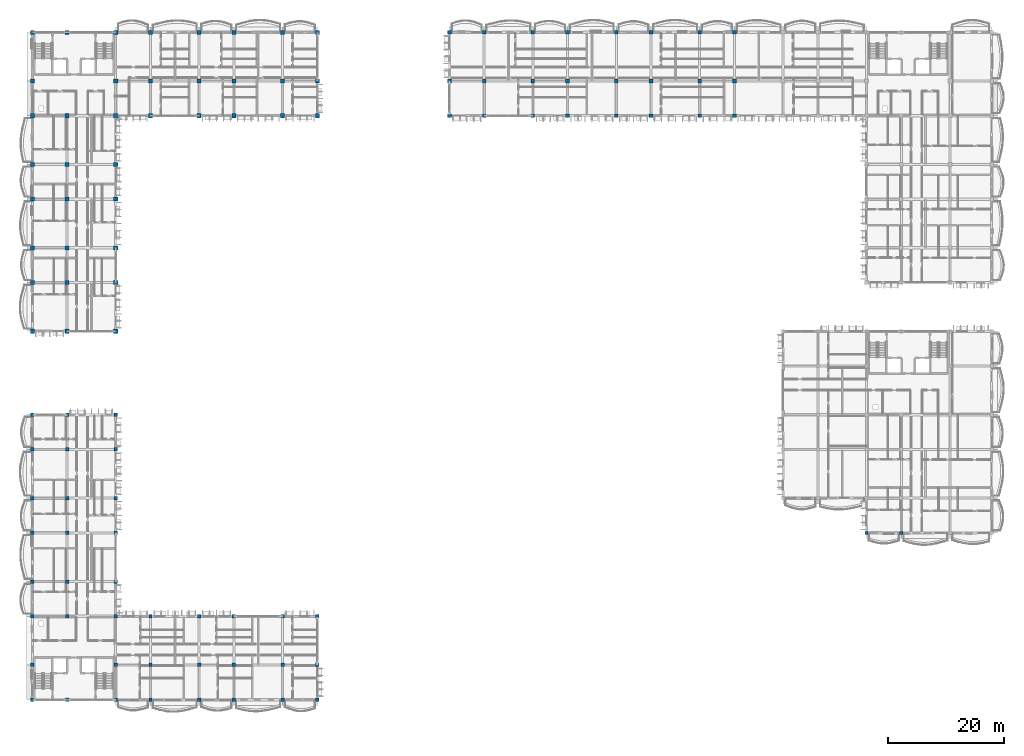
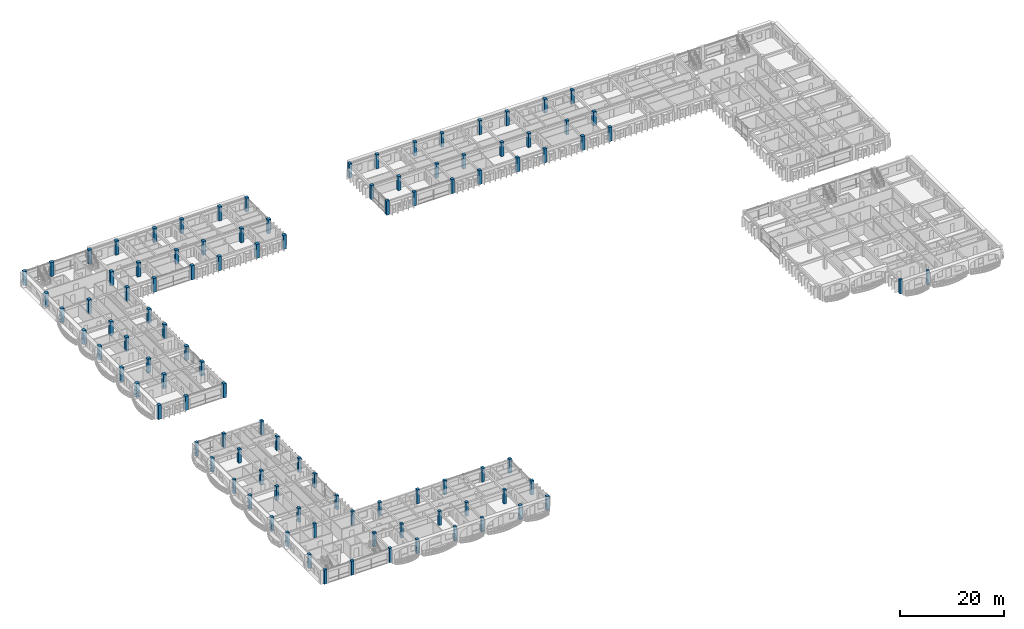
# One storey, part 1 of 79: 102 columns.
"""IFC4 building model written with IfcOpenShell, lengths in metres."""

import ifcopenshell
import ifcopenshell.guid

model = None  # the IFC model being written
_history = None  # IfcOwnerHistory: only IFC2X3 demands one
_inside = {}  # id of a spatial element -> (the spatial element, [elements in it])
_under = {}  # id of a project, library or spatial element -> (it, [spatial elements below it])
_declared = {}  # id of a project -> (the project, [libraries it declares])
_typed = {}  # id of a type object -> (the type object, [elements of that type])
_made_of = {}  # id of a material, layer set ... -> (it, [elements and type objects made of it])


def new_model(schema):
    """Start an empty IFC model of exactly this schema.

    Asked for "IFC4X3", IfcOpenShell would pick the latest addendum, in which some entities
    have other attributes; the version numbers below select the first issue.
    IFC2X3 requires an IfcOwnerHistory on every rooted entity: one is made here for all.
    """
    global model, _history
    if schema == "IFC4X3":
        model = ifcopenshell.file(schema_version=(4, 3, 0, 0))
    else:
        model = ifcopenshell.file(schema=schema)
    _inside.clear()
    _under.clear()
    _declared.clear()
    _typed.clear()
    _made_of.clear()
    _history = None
    if model.schema == "IFC2X3":
        org = make("IfcOrganization", Name="unknown")
        user = make(
            "IfcPersonAndOrganization",
            ThePerson=make("IfcPerson", FamilyName="unknown"),
            TheOrganization=org,
        )
        app = make(
            "IfcApplication",
            ApplicationDeveloper=org,
            Version="unknown",
            ApplicationFullName="unknown",
            ApplicationIdentifier="unknown",
        )
        _history = make(
            "IfcOwnerHistory",
            OwningUser=user,
            OwningApplication=app,
            ChangeAction="ADDED",
            CreationDate=0,
        )
    return model


def make(cls, **values):
    """One entity of the class cls with the attributes given. An attribute that is None is left unset."""
    return model.create_entity(
        cls, **{name: value for name, value in values.items() if value is not None}
    )


def rooted(cls, **values):
    """An entity with a GlobalId (a new one), such as an element, a storey or a relation."""
    return make(cls, GlobalId=ifcopenshell.guid.new(), OwnerHistory=_history, **values)


def si_unit(unit_type, name, prefix=None):
    """IfcSIUnit, for example si_unit("LENGTHUNIT", "METRE", prefix="MILLI")."""
    return make("IfcSIUnit", UnitType=unit_type, Prefix=prefix, Name=name)


def assignment(units):
    """IfcUnitAssignment: the units of a project."""
    return None if units is None else make("IfcUnitAssignment", Units=units)


def point(xyz):
    """IfcCartesianPoint."""
    return None if xyz is None else make("IfcCartesianPoint", Coordinates=xyz)


def direction(xyz):
    """IfcDirection."""
    return None if xyz is None else make("IfcDirection", DirectionRatios=xyz)


def frame(location, z_axis=None, x_axis=None):
    """IfcAxis2Placement3D, a coordinate frame: its origin and axes. An axis left out is left unset."""
    return make(
        "IfcAxis2Placement3D",
        Location=point(location),
        Axis=direction(z_axis),
        RefDirection=direction(x_axis),
    )


def frame_2d(location, x_axis=None):
    """IfcAxis2Placement2D, a coordinate frame in the plane: its origin and x axis."""
    return make(
        "IfcAxis2Placement2D", Location=point(location), RefDirection=direction(x_axis)
    )


def origin():
    """The frame at (0, 0, 0) with its axes left unset."""
    return frame((0.0, 0.0, 0.0))


def origin_2d():
    """The frame at (0, 0) in the plane with its x axis left unset."""
    return frame_2d((0.0, 0.0))


def place(relative_to, where):
    """IfcLocalPlacement: puts the frame where relative to a parent placement (None: the world)."""
    return make(
        "IfcLocalPlacement", PlacementRelTo=relative_to, RelativePlacement=where
    )


def context(
    kind, dimensions, precision=None, world=None, true_north=None, identifier=None
):
    """IfcGeometricRepresentationContext, for example the 3D "Model" context."""
    return make(
        "IfcGeometricRepresentationContext",
        ContextIdentifier=identifier,
        ContextType=kind,
        CoordinateSpaceDimension=dimensions,
        Precision=precision,
        WorldCoordinateSystem=world,
        TrueNorth=true_north,
    )


def subcontext(parent, identifier, kind, view, scale=None):
    """IfcGeometricRepresentationSubContext, for example "Body" below "Model"."""
    return make(
        "IfcGeometricRepresentationSubContext",
        ContextIdentifier=identifier,
        ContextType=kind,
        ParentContext=parent,
        TargetScale=scale,
        TargetView=view,
    )


def project(units=None, contexts=None):
    """IfcProject with its units and contexts."""
    return rooted(
        "IfcProject",
        Name="project",
        RepresentationContexts=contexts,
        UnitsInContext=assignment(units),
    )


def spatial(cls, under=None, at=None, **own):
    """A site, building, storey or space (cls), placed at a placement, below another one or the project."""
    s = rooted(cls, ObjectPlacement=at, **own)
    if under is not None:
        _under.setdefault(under.id(), (under, []))[1].append(s)
    return s


def profile(cls, at=None, kind="AREA", **sizes):
    """A parametric profile (cls). Its sizes go by their IFC names, for example OverallWidth=200.0."""
    return make(cls, ProfileType=kind, Position=at, **sizes)


def rectangle(**sizes):
    """IfcRectangleProfileDef."""
    return profile("IfcRectangleProfileDef", **sizes)


def extrude(swept, where, along, depth):
    """IfcExtrudedAreaSolid: the profile swept, set in the frame where, extruded along a direction by depth."""
    return make(
        "IfcExtrudedAreaSolid",
        SweptArea=swept,
        Position=where,
        ExtrudedDirection=direction(along),
        Depth=depth,
    )


def shape(context_of_items, identifier, shape_type, items):
    """IfcShapeRepresentation: the items that make up one representation, for example the "Body"."""
    return make(
        "IfcShapeRepresentation",
        ContextOfItems=context_of_items,
        RepresentationIdentifier=identifier,
        RepresentationType=shape_type,
        Items=items,
    )


def material(Name=None, Category=None):
    """IfcMaterial."""
    return make("IfcMaterial", Name=Name, Category=Category)


def material_profile(
    of_material, cross_section, Name=None, Category=None, Priority=None
):
    """IfcMaterialProfile: a cross section and its material."""
    return make(
        "IfcMaterialProfile",
        Name=Name,
        Material=of_material,
        Profile=cross_section,
        Priority=Priority,
        Category=Category,
    )


def profile_set(profiles, Name=None, composite=None):
    """IfcMaterialProfileSet."""
    return make(
        "IfcMaterialProfileSet",
        Name=Name,
        MaterialProfiles=profiles,
        CompositeProfile=composite,
    )


def made_of(thing, what):
    """Note that an element or type object is made of a material, layer set ...; save() writes the relation."""
    if what is not None:
        _made_of.setdefault(what.id(), (what, []))[1].append(thing)
    return thing


def type_object(cls, material=None, **own):
    """A type object (cls), such as IfcWallType, which elements share."""
    return made_of(rooted(cls, **own), material)


def element(
    cls,
    number,
    at=None,
    inside=None,
    cuts=None,
    type_object=None,
    material=None,
    context=None,
    identifier="Body",
    shape_type=None,
    held_by="IfcProductDefinitionShape",
    body=None,
    shapes=None,
    **own,
):
    """One element of the class cls, such as IfcWall. Its Tag is "e" and its number.

    at: its placement. inside: the storey or other place that contains it. cuts: it is an
    opening in that element (IfcRelVoidsElement). A single representation is given by context,
    identifier, shape_type and body (its items); several are given by shapes. held_by: the class
    of the entity that holds the representations. save() writes the other relations.
    """
    e = rooted(cls, Tag="e%d" % number, ObjectPlacement=at, **own)
    if body is not None:
        shapes = [shape(context, identifier, shape_type, body)]
    if shapes is not None:
        e.Representation = make(held_by, Representations=shapes)
    if inside is not None:
        _inside.setdefault(inside.id(), (inside, []))[1].append(e)
    if cuts is not None:
        rooted(
            "IfcRelVoidsElement", RelatingBuildingElement=cuts, RelatedOpeningElement=e
        )
    if type_object is not None:
        _typed.setdefault(type_object.id(), (type_object, []))[1].append(e)
    return made_of(e, material)


def aggregate(whole, parts):
    """IfcRelAggregates: a whole, such as a stair, and the parts it consists of."""
    return rooted("IfcRelAggregates", RelatingObject=whole, RelatedObjects=parts)


def save(model, path):
    """Write the relations noted so far, then the file.

    IfcRelAggregates (storeys below a building ...), IfcRelContainedInSpatialStructure (elements
    in a storey), IfcRelDefinesByType, IfcRelAssociatesMaterial and IfcRelDeclares: one each for
    every whole, place, type object, material and project.
    """
    for whole, parts in _under.values():
        aggregate(whole, parts)
    for where, things in _inside.values():
        rooted(
            "IfcRelContainedInSpatialStructure",
            RelatedElements=things,
            RelatingStructure=where,
        )
    for kind, things in _typed.values():
        rooted("IfcRelDefinesByType", RelatedObjects=things, RelatingType=kind)
    for what, things in _made_of.values():
        rooted("IfcRelAssociatesMaterial", RelatedObjects=things, RelatingMaterial=what)
    for by, libraries in _declared.values():
        rooted("IfcRelDeclares", RelatingContext=by, RelatedDefinitions=libraries)
    model.write(path)


model = new_model("IFC4")

# Units and contexts
model_context = context("Model", 3, precision=1e-05, world=origin(), true_north=direction((0.0, 1.0)))
body_context = subcontext(model_context, "Body", "Model", "MODEL_VIEW")
ifc_project = project(units=[si_unit("LENGTHUNIT", "METRE"), si_unit("AREAUNIT", "SQUARE_METRE"), si_unit("VOLUMEUNIT", "CUBIC_METRE"), si_unit("PLANEANGLEUNIT", "RADIAN"), si_unit("MASSUNIT", "GRAM", prefix="KILO"), si_unit("THERMODYNAMICTEMPERATUREUNIT", "KELVIN")], contexts=[model_context])

# Site, building, storey
site_placement = place(None, origin())
site = spatial("IfcSite", under=ifc_project, at=site_placement, CompositionType="ELEMENT")
building_placement = place(site_placement, origin())
building = spatial("IfcBuilding", under=site, at=building_placement, Name="Thalorik Housing Commons", CompositionType="ELEMENT")
storey_placement = place(building_placement, frame((0.0, 0.0, 11.39990234375)))
storey = spatial("IfcBuildingStorey", under=building, at=storey_placement, Name="L03", CompositionType="ELEMENT", Elevation=11.39990234375)

# Columns
ifc_material = material(Name="Precast concrete C40/50", Category="concrete")
ifc_material_profile_1 = material_profile(ifc_material, rectangle(XDim=0.550048828125, YDim=0.550048828125, at=origin_2d()), Name="PC 550x550", Category="concrete")
ifc_profile_set_1 = profile_set([ifc_material_profile_1], Name="Precast concrete C40/50")
column_type_1 = type_object("IfcColumnType", Name="STR-COL-PC550", PredefinedType="COLUMN", material=ifc_profile_set_1)
for number, where, z_axis, x_axis, name in (
    (1, (152.39990234375, 37.199951171875, 0.0), (0.0, 0.0, 1.0), (1.0, 0.0, 0.0), "L03 Column C-550"),
    (2, (158.39990234375, 37.199951171875, 0.0), (0.0, 0.0, 1.0), (1.0, 0.0, 0.0), "L03 Column C-550"),
):
    element("IfcColumn", number, at=place(storey_placement, frame(where, z_axis=z_axis, x_axis=x_axis)), inside=storey, type_object=column_type_1, Name=name, PredefinedType="COLUMN", context=body_context, shape_type="SweptSolid", body=[
        extrude(rectangle(XDim=0.550048828125, YDim=0.550048828125, at=origin_2d()), origin(), (0.0, 0.0, 1.0), 3.300048828125),
    ])
ifc_material_profile_2 = material_profile(ifc_material, rectangle(XDim=0.60009765625, YDim=0.60009765625, at=origin_2d()), Name="PC 600x600", Category="concrete")
ifc_profile_set_2 = profile_set([ifc_material_profile_2], Name="Precast concrete C40/50")
column_type_2 = type_object("IfcColumnType", Name="STR-COL-PC600", PredefinedType="COLUMN", material=ifc_profile_set_2)
for number, where, z_axis, x_axis, name in (
    (3, (8.39990234375, 8.39990234375, 0.0), (0.0, 0.0, 1.0), (1.0, 0.0, 0.0), "L03 Column C-600"),
    (4, (8.39990234375, 14.39990234375, 0.0), (0.0, 0.0, 1.0), (1.0, 0.0, 0.0), "L03 Column C-600"),
    (5, (8.39990234375, 22.800048828125, 0.0), (0.0, 0.0, 1.0), (1.0, 0.0, 0.0), "L03 Column C-600"),
    (6, (8.39990234375, 28.800048828125, 0.0), (0.0, 0.0, 1.0), (1.0, 0.0, 0.0), "L03 Column C-600"),
    (7, (8.39990234375, 37.199951171875, 0.0), (0.0, 0.0, 1.0), (1.0, 0.0, 0.0), "L03 Column C-600"),
    (8, (8.39990234375, 43.199951171875, 0.0), (0.0, 0.0, 1.0), (1.0, 0.0, 0.0), "L03 Column C-600"),
    (9, (8.39990234375, 51.60009765625, 0.0), (0.0, 0.0, 1.0), (1.0, 0.0, 0.0), "L03 Column C-600"),
    (10, (8.39990234375, 57.60009765625, 0.0), (0.0, 0.0, 1.0), (1.0, 0.0, 0.0), "L03 Column C-600"),
    (11, (14.39990234375, 8.39990234375, 0.0), (0.0, 0.0, 1.0), (1.0, 0.0, 0.0), "L03 Column C-600"),
    (12, (14.39990234375, 22.800048828125, 0.0), (0.0, 0.0, 1.0), (1.0, 0.0, 0.0), "L03 Column C-600"),
    (13, (14.39990234375, 28.800048828125, 0.0), (0.0, 0.0, 1.0), (1.0, 0.0, 0.0), "L03 Column C-600"),
    (14, (14.39990234375, 37.199951171875, 0.0), (0.0, 0.0, 1.0), (1.0, 0.0, 0.0), "L03 Column C-600"),
    (15, (14.39990234375, 43.199951171875, 0.0), (0.0, 0.0, 1.0), (1.0, 0.0, 0.0), "L03 Column C-600"),
    (16, (14.39990234375, 51.60009765625, 0.0), (0.0, 0.0, 1.0), (1.0, 0.0, 0.0), "L03 Column C-600"),
    (17, (14.39990234375, 57.60009765625, 0.0), (0.0, 0.0, 1.0), (1.0, 0.0, 0.0), "L03 Column C-600"),
    (18, (22.800048828125, 8.39990234375, 0.0), (0.0, 0.0, 1.0), (1.0, 0.0, 0.0), "L03 Column C-600"),
    (19, (22.800048828125, 14.39990234375, 0.0), (0.0, 0.0, 1.0), (1.0, 0.0, 0.0), "L03 Column C-600"),
    (20, (22.800048828125, 22.800048828125, 0.0), (0.0, 0.0, 1.0), (1.0, 0.0, 0.0), "L03 Column C-600"),
    (21, (22.800048828125, 28.800048828125, 0.0), (0.0, 0.0, 1.0), (1.0, 0.0, 0.0), "L03 Column C-600"),
    (22, (22.800048828125, 37.199951171875, 0.0), (0.0, 0.0, 1.0), (1.0, 0.0, 0.0), "L03 Column C-600"),
    (23, (22.800048828125, 43.199951171875, 0.0), (0.0, 0.0, 1.0), (1.0, 0.0, 0.0), "L03 Column C-600"),
    (24, (22.800048828125, 51.60009765625, 0.0), (0.0, 0.0, 1.0), (1.0, 0.0, 0.0), "L03 Column C-600"),
    (25, (22.800048828125, 57.60009765625, 0.0), (0.0, 0.0, 1.0), (1.0, 0.0, 0.0), "L03 Column C-600"),
    (26, (28.800048828125, 8.39990234375, 0.0), (0.0, 0.0, 1.0), (1.0, 0.0, 0.0), "L03 Column C-600"),
    (27, (28.800048828125, 14.39990234375, 0.0), (0.0, 0.0, 1.0), (1.0, 0.0, 0.0), "L03 Column C-600"),
    (28, (28.800048828125, 22.800048828125, 0.0), (0.0, 0.0, 1.0), (1.0, 0.0, 0.0), "L03 Column C-600"),
    (29, (37.199951171875, 8.39990234375, 0.0), (0.0, 0.0, 1.0), (1.0, 0.0, 0.0), "L03 Column C-600"),
    (30, (37.199951171875, 14.39990234375, 0.0), (0.0, 0.0, 1.0), (1.0, 0.0, 0.0), "L03 Column C-600"),
    (31, (37.199951171875, 22.800048828125, 0.0), (0.0, 0.0, 1.0), (1.0, 0.0, 0.0), "L03 Column C-600"),
    (32, (43.199951171875, 8.39990234375, 0.0), (0.0, 0.0, 1.0), (1.0, 0.0, 0.0), "L03 Column C-600"),
    (33, (43.199951171875, 14.39990234375, 0.0), (0.0, 0.0, 1.0), (1.0, 0.0, 0.0), "L03 Column C-600"),
    (34, (43.199951171875, 22.800048828125, 0.0), (0.0, 0.0, 1.0), (1.0, 0.0, 0.0), "L03 Column C-600"),
    (35, (51.60009765625, 8.39990234375, 0.0), (0.0, 0.0, 1.0), (1.0, 0.0, 0.0), "L03 Column C-600"),
    (36, (51.60009765625, 14.39990234375, 0.0), (0.0, 0.0, 1.0), (1.0, 0.0, 0.0), "L03 Column C-600"),
    (37, (51.60009765625, 22.800048828125, 0.0), (0.0, 0.0, 1.0), (1.0, 0.0, 0.0), "L03 Column C-600"),
    (38, (57.60009765625, 8.39990234375, 0.0), (0.0, 0.0, 1.0), (1.0, 0.0, 0.0), "L03 Column C-600"),
    (39, (57.60009765625, 14.39990234375, 0.0), (0.0, 0.0, 1.0), (1.0, 0.0, 0.0), "L03 Column C-600"),
    (40, (57.60009765625, 22.800048828125, 0.0), (0.0, 0.0, 1.0), (1.0, 0.0, 0.0), "L03 Column C-600"),
):
    element("IfcColumn", number, at=place(storey_placement, frame(where, z_axis=z_axis, x_axis=x_axis)), inside=storey, type_object=column_type_2, Name=name, PredefinedType="COLUMN", context=body_context, shape_type="SweptSolid", body=[
        extrude(rectangle(XDim=0.60009765625, YDim=0.60009765625, at=origin_2d()), origin(), (0.0, 0.0, 1.0), 3.300048828125),
    ])
ifc_material_profile_3 = material_profile(ifc_material, rectangle(XDim=0.64990234375, YDim=0.64990234375, at=origin_2d()), Name="PC 650x650", Category="concrete")
ifc_profile_set_3 = profile_set([ifc_material_profile_3], Name="Precast concrete C40/50")
column_type_3 = type_object("IfcColumnType", Name="STR-COL-PC650", PredefinedType="COLUMN", material=ifc_profile_set_3)
for number, where, z_axis, x_axis, name in (
    (41, (80.39990234375, 109.199951171875, 0.0), (0.0, 0.0, 1.0), (1.0, 0.0, 0.0), "L03 Column C-650"),
    (42, (80.39990234375, 115.199951171875, 0.0), (0.0, 0.0, 1.0), (1.0, 0.0, 0.0), "L03 Column C-650"),
    (43, (80.39990234375, 123.60009765625, 0.0), (0.0, 0.0, 1.0), (1.0, 0.0, 0.0), "L03 Column C-650"),
    (44, (86.39990234375, 109.199951171875, 0.0), (0.0, 0.0, 1.0), (1.0, 0.0, 0.0), "L03 Column C-650"),
    (45, (86.39990234375, 115.199951171875, 0.0), (0.0, 0.0, 1.0), (1.0, 0.0, 0.0), "L03 Column C-650"),
    (46, (86.39990234375, 123.60009765625, 0.0), (0.0, 0.0, 1.0), (1.0, 0.0, 0.0), "L03 Column C-650"),
    (47, (94.800048828125, 109.199951171875, 0.0), (0.0, 0.0, 1.0), (1.0, 0.0, 0.0), "L03 Column C-650"),
    (48, (94.800048828125, 115.199951171875, 0.0), (0.0, 0.0, 1.0), (1.0, 0.0, 0.0), "L03 Column C-650"),
    (49, (94.800048828125, 123.60009765625, 0.0), (0.0, 0.0, 1.0), (1.0, 0.0, 0.0), "L03 Column C-650"),
    (50, (100.800048828125, 109.199951171875, 0.0), (0.0, 0.0, 1.0), (1.0, 0.0, 0.0), "L03 Column C-650"),
    (51, (100.800048828125, 115.199951171875, 0.0), (0.0, 0.0, 1.0), (1.0, 0.0, 0.0), "L03 Column C-650"),
    (52, (100.800048828125, 123.60009765625, 0.0), (0.0, 0.0, 1.0), (1.0, 0.0, 0.0), "L03 Column C-650"),
    (53, (109.199951171875, 109.199951171875, 0.0), (0.0, 0.0, 1.0), (1.0, 0.0, 0.0), "L03 Column C-650"),
    (54, (109.199951171875, 115.199951171875, 0.0), (0.0, 0.0, 1.0), (1.0, 0.0, 0.0), "L03 Column C-650"),
    (55, (109.199951171875, 123.60009765625, 0.0), (0.0, 0.0, 1.0), (1.0, 0.0, 0.0), "L03 Column C-650"),
    (56, (115.199951171875, 109.199951171875, 0.0), (0.0, 0.0, 1.0), (1.0, 0.0, 0.0), "L03 Column C-650"),
    (57, (115.199951171875, 115.199951171875, 0.0), (0.0, 0.0, 1.0), (1.0, 0.0, 0.0), "L03 Column C-650"),
    (58, (115.199951171875, 123.60009765625, 0.0), (0.0, 0.0, 1.0), (1.0, 0.0, 0.0), "L03 Column C-650"),
    (59, (123.60009765625, 109.199951171875, 0.0), (0.0, 0.0, 1.0), (1.0, 0.0, 0.0), "L03 Column C-650"),
    (60, (123.60009765625, 115.199951171875, 0.0), (0.0, 0.0, 1.0), (1.0, 0.0, 0.0), "L03 Column C-650"),
    (61, (123.60009765625, 123.60009765625, 0.0), (0.0, 0.0, 1.0), (1.0, 0.0, 0.0), "L03 Column C-650"),
    (62, (129.60009765625, 109.199951171875, 0.0), (0.0, 0.0, 1.0), (1.0, 0.0, 0.0), "L03 Column C-650"),
    (63, (129.60009765625, 115.199951171875, 0.0), (0.0, 0.0, 1.0), (1.0, 0.0, 0.0), "L03 Column C-650"),
    (64, (129.60009765625, 123.60009765625, 0.0), (0.0, 0.0, 1.0), (1.0, 0.0, 0.0), "L03 Column C-650"),
):
    element("IfcColumn", number, at=place(storey_placement, frame(where, z_axis=z_axis, x_axis=x_axis)), inside=storey, type_object=column_type_3, Name=name, PredefinedType="COLUMN", context=body_context, shape_type="SweptSolid", body=[
        extrude(rectangle(XDim=0.64990234375, YDim=0.64990234375, at=origin_2d()), origin(), (0.0, 0.0, 1.0), 3.300048828125),
    ])
ifc_material_profile_4 = material_profile(ifc_material, rectangle(XDim=0.699951171875, YDim=0.699951171875, at=origin_2d()), Name="PC 700x700", Category="concrete")
ifc_profile_set_4 = profile_set([ifc_material_profile_4], Name="Precast concrete C40/50")
column_type_4 = type_object("IfcColumnType", Name="STR-COL-PC700", PredefinedType="COLUMN", material=ifc_profile_set_4)
for number, where, z_axis, x_axis, name in (
    (65, (8.39990234375, 72.0, 0.0), (0.0, 0.0, 1.0), (1.0, 0.0, 0.0), "L03 Column C-700"),
    (66, (8.39990234375, 80.39990234375, 0.0), (0.0, 0.0, 1.0), (1.0, 0.0, 0.0), "L03 Column C-700"),
    (67, (8.39990234375, 86.39990234375, 0.0), (0.0, 0.0, 1.0), (1.0, 0.0, 0.0), "L03 Column C-700"),
    (68, (8.39990234375, 94.800048828125, 0.0), (0.0, 0.0, 1.0), (1.0, 0.0, 0.0), "L03 Column C-700"),
    (69, (8.39990234375, 100.800048828125, 0.0), (0.0, 0.0, 1.0), (1.0, 0.0, 0.0), "L03 Column C-700"),
    (70, (8.39990234375, 109.199951171875, 0.0), (0.0, 0.0, 1.0), (1.0, 0.0, 0.0), "L03 Column C-700"),
    (71, (8.39990234375, 115.199951171875, 0.0), (0.0, 0.0, 1.0), (1.0, 0.0, 0.0), "L03 Column C-700"),
    (72, (8.39990234375, 123.60009765625, 0.0), (0.0, 0.0, 1.0), (1.0, 0.0, 0.0), "L03 Column C-700"),
    (73, (14.39990234375, 72.0, 0.0), (0.0, 0.0, 1.0), (1.0, 0.0, 0.0), "L03 Column C-700"),
    (74, (14.39990234375, 80.39990234375, 0.0), (0.0, 0.0, 1.0), (1.0, 0.0, 0.0), "L03 Column C-700"),
    (75, (14.39990234375, 86.39990234375, 0.0), (0.0, 0.0, 1.0), (1.0, 0.0, 0.0), "L03 Column C-700"),
    (76, (14.39990234375, 94.800048828125, 0.0), (0.0, 0.0, 1.0), (1.0, 0.0, 0.0), "L03 Column C-700"),
    (77, (14.39990234375, 100.800048828125, 0.0), (0.0, 0.0, 1.0), (1.0, 0.0, 0.0), "L03 Column C-700"),
    (78, (14.39990234375, 109.199951171875, 0.0), (0.0, 0.0, 1.0), (1.0, 0.0, 0.0), "L03 Column C-700"),
    (79, (14.39990234375, 123.60009765625, 0.0), (0.0, 0.0, 1.0), (1.0, 0.0, 0.0), "L03 Column C-700"),
    (80, (22.800048828125, 72.0, 0.0), (0.0, 0.0, 1.0), (1.0, 0.0, 0.0), "L03 Column C-700"),
    (81, (22.800048828125, 80.39990234375, 0.0), (0.0, 0.0, 1.0), (1.0, 0.0, 0.0), "L03 Column C-700"),
    (82, (22.800048828125, 86.39990234375, 0.0), (0.0, 0.0, 1.0), (1.0, 0.0, 0.0), "L03 Column C-700"),
    (83, (22.800048828125, 94.800048828125, 0.0), (0.0, 0.0, 1.0), (1.0, 0.0, 0.0), "L03 Column C-700"),
    (84, (22.800048828125, 100.800048828125, 0.0), (0.0, 0.0, 1.0), (1.0, 0.0, 0.0), "L03 Column C-700"),
    (85, (22.800048828125, 109.199951171875, 0.0), (0.0, 0.0, 1.0), (1.0, 0.0, 0.0), "L03 Column C-700"),
    (86, (22.800048828125, 115.199951171875, 0.0), (0.0, 0.0, 1.0), (1.0, 0.0, 0.0), "L03 Column C-700"),
    (87, (22.800048828125, 123.60009765625, 0.0), (0.0, 0.0, 1.0), (1.0, 0.0, 0.0), "L03 Column C-700"),
    (88, (28.800048828125, 109.199951171875, 0.0), (0.0, 0.0, 1.0), (1.0, 0.0, 0.0), "L03 Column C-700"),
    (89, (28.800048828125, 115.199951171875, 0.0), (0.0, 0.0, 1.0), (1.0, 0.0, 0.0), "L03 Column C-700"),
    (90, (28.800048828125, 123.60009765625, 0.0), (0.0, 0.0, 1.0), (1.0, 0.0, 0.0), "L03 Column C-700"),
    (91, (37.199951171875, 109.199951171875, 0.0), (0.0, 0.0, 1.0), (1.0, 0.0, 0.0), "L03 Column C-700"),
    (92, (37.199951171875, 115.199951171875, 0.0), (0.0, 0.0, 1.0), (1.0, 0.0, 0.0), "L03 Column C-700"),
    (93, (37.199951171875, 123.60009765625, 0.0), (0.0, 0.0, 1.0), (1.0, 0.0, 0.0), "L03 Column C-700"),
    (94, (43.199951171875, 109.199951171875, 0.0), (0.0, 0.0, 1.0), (1.0, 0.0, 0.0), "L03 Column C-700"),
    (95, (43.199951171875, 115.199951171875, 0.0), (0.0, 0.0, 1.0), (1.0, 0.0, 0.0), "L03 Column C-700"),
    (96, (43.199951171875, 123.60009765625, 0.0), (0.0, 0.0, 1.0), (1.0, 0.0, 0.0), "L03 Column C-700"),
    (97, (51.60009765625, 109.199951171875, 0.0), (0.0, 0.0, 1.0), (1.0, 0.0, 0.0), "L03 Column C-700"),
    (98, (51.60009765625, 115.199951171875, 0.0), (0.0, 0.0, 1.0), (1.0, 0.0, 0.0), "L03 Column C-700"),
    (99, (51.60009765625, 123.60009765625, 0.0), (0.0, 0.0, 1.0), (1.0, 0.0, 0.0), "L03 Column C-700"),
    (100, (57.60009765625, 109.199951171875, 0.0), (0.0, 0.0, 1.0), (1.0, 0.0, 0.0), "L03 Column C-700"),
    (101, (57.60009765625, 115.199951171875, 0.0), (0.0, 0.0, 1.0), (1.0, 0.0, 0.0), "L03 Column C-700"),
    (102, (57.60009765625, 123.60009765625, 0.0), (0.0, 0.0, 1.0), (1.0, 0.0, 0.0), "L03 Column C-700"),
):
    element("IfcColumn", number, at=place(storey_placement, frame(where, z_axis=z_axis, x_axis=x_axis)), inside=storey, type_object=column_type_4, Name=name, PredefinedType="COLUMN", context=body_context, shape_type="SweptSolid", body=[
        extrude(rectangle(XDim=0.699951171875, YDim=0.699951171875, at=origin_2d()), origin(), (0.0, 0.0, 1.0), 3.300048828125),
    ])

save(model, "model.ifc")
